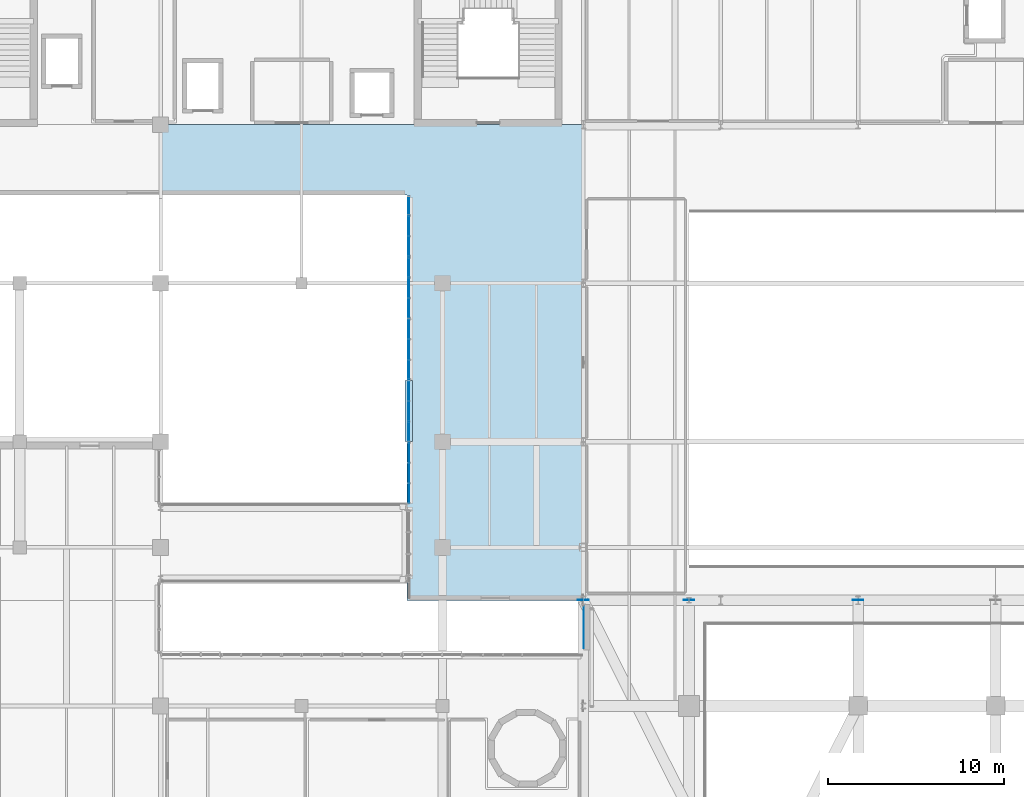
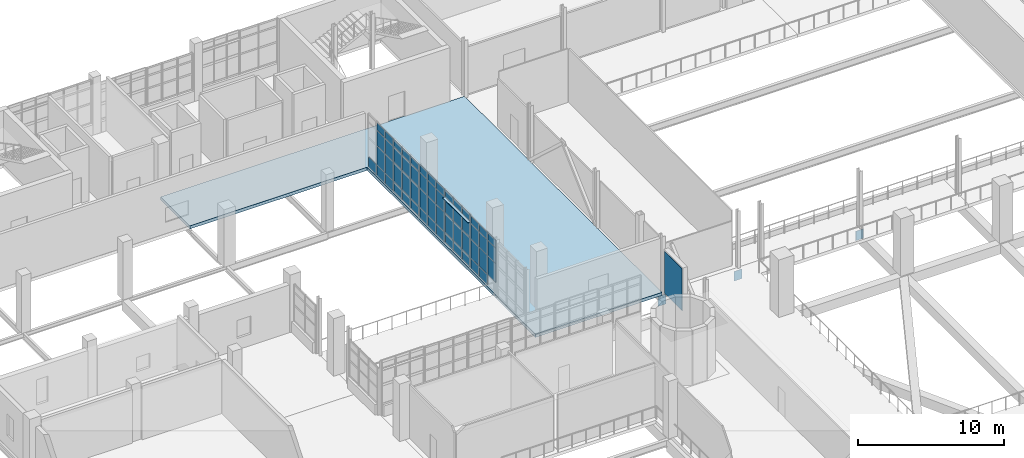
# One storey, part 64 of 100: 61 plates, 1 slab, 5 elements without a shape of their own.
"""IFC4 building model written with IfcOpenShell, lengths in metres."""

from ifc_helpers import new_model, si_unit, derived_unit, direction, frame, origin, origin_2d, place, context, subcontext, project, spatial, polyline, rectangle, outline, extrude, material, layer, layer_set, type_object, element, aggregate, save


model = new_model("IFC4")

# Units and contexts
model_context = context("Model", 3, precision=1e-05, world=origin(), true_north=direction((0.0, 1.0)))
body_context = subcontext(model_context, "Body", "Model", "MODEL_VIEW")
ifc_project = project(units=[si_unit("LENGTHUNIT", "METRE"), si_unit("AREAUNIT", "SQUARE_METRE"), si_unit("VOLUMEUNIT", "CUBIC_METRE"), si_unit("PLANEANGLEUNIT", "RADIAN"), si_unit("MASSUNIT", "GRAM", prefix="KILO"), derived_unit("THERMALTRANSMITTANCEUNIT", [(si_unit("POWERUNIT", "WATT"), 1), (si_unit("LENGTHUNIT", "METRE"), -2), (si_unit("THERMODYNAMICTEMPERATUREUNIT", "KELVIN"), -1)])], contexts=[model_context])

# Site, building, storey
site_placement = place(None, origin())
site = spatial("IfcSite", under=ifc_project, at=site_placement, CompositionType="ELEMENT")
building_placement = place(site_placement, origin())
building = spatial("IfcBuilding", under=site, at=building_placement, Name="Nallur Shell Playhouse", CompositionType="ELEMENT")
storey_placement = place(building_placement, frame((0.0, 0.0, 10.199951171875)))
storey = spatial("IfcBuildingStorey", under=building, at=storey_placement, Name="L03", CompositionType="ELEMENT", Elevation=10.199951171875)

# Plates
ifc_material_1 = material(Name="Steel E350", Category="steel")
ifc_layer_1 = layer(ifc_material_1, 0.02001953125)
ifc_layer_set_1 = layer_set([ifc_layer_1], Name="Steel E350")
plate_type_1 = type_object("IfcPlateType", Name="PT-ENDCAP-20", PredefinedType="SHEET", material=ifc_layer_set_1)
for number, where, z_axis, x_axis, name in (
    (1, (70.0, 47.010009765625, -1.06005859375), (0.0, 0.0, 1.0), (1.0, 0.0, 0.0), "Hollow end cap EC-TT-3-TC1"),
    (2, (79.60009765625, 47.010009765625, -1.06005859375), (0.0, 0.0, 1.0), (1.0, 0.0, 0.0), "Hollow end cap EC-TT-4-TC1"),
):
    element("IfcPlate", number, at=place(storey_placement, frame(where, z_axis=z_axis, x_axis=x_axis)), inside=storey, type_object=plate_type_1, Name=name, PredefinedType="SHEET", context=body_context, shape_type="SweptSolid", body=[
        extrude(rectangle(XDim=0.60009765625, YDim=0.02001953125, at=origin_2d()), origin(), (0.0, 0.0, 1.0), 0.800048828125),
    ])
plate_1_placement = place(storey_placement, frame((64.0, 47.010009765625, -1.06982421875), z_axis=(0.0, 0.0, 1.0), x_axis=(1.0, 0.0, 0.0)))
element("IfcPlate", 3, at=plate_1_placement, inside=storey, type_object=plate_type_1, Name="Hollow end cap EC-GB-L03-WB", PredefinedType="SHEET", context=body_context, shape_type="SweptSolid", body=[
    extrude(rectangle(XDim=0.6201171875, YDim=0.02001953125, at=origin_2d()), origin(), (0.0, 0.0, 1.0), 0.820068359375),
])

# Curtain wall, plates
ifc_material_2 = material(Name="Anodised Aluminium Double-Glazed Facade System", Category="aluminium")
ifc_layer_2 = layer(ifc_material_2, 0.172119140625)
ifc_layer_set_2 = layer_set([ifc_layer_2], Name="Anodised Aluminium Double-Glazed Facade System")
curtain_wall_type_1 = type_object("IfcCurtainWallType", Name="CW-UNIT-03", PredefinedType="NOTDEFINED", material=ifc_layer_set_2)
curtain_wall_1_placement = place(storey_placement, origin())
curtain_wall_1 = element("IfcCurtainWall", 4, at=curtain_wall_1_placement, inside=storey, type_object=curtain_wall_type_1, Name="Unitised curtain wall CW-067 (L03)", PredefinedType="NOTDEFINED")
ifc_material_3 = material(Name="Solar-Control Low-E Laminated Insulating Glass", Category="glass")
ifc_layer_3 = layer(ifc_material_3, 0.030029296875)
ifc_layer_set_3 = layer_set([ifc_layer_3], Name="Solar-Control Low-E Laminated Insulating Glass")
plate_type_2 = type_object("IfcPlateType", Name="PT-GLZ-03", PredefinedType="CURTAIN_PANEL", material=ifc_layer_set_3)
plate_2_placement = place(storey_placement, frame((54.090087890625, 53.082275390625, 0.924560546875), z_axis=(0.0, 0.0, 1.0), x_axis=(0.0, 1.0, 0.0)))
plate_2 = element("IfcPlate", 5, at=plate_2_placement, type_object=plate_type_2, Name="CW-03 panel 1.2", PredefinedType="CURTAIN_PANEL", context=body_context, shape_type="SweptSolid", body=[
    extrude(rectangle(XDim=1.084716796875, YDim=0.030029296875, at=origin_2d()), origin(), (0.0, 0.0, 1.0), 1.56005859375),
])
plate_3_placement = place(storey_placement, frame((54.090087890625, 53.082275390625, 2.53369140625), z_axis=(0.0, 0.0, 1.0), x_axis=(0.0, 1.0, 0.0)))
plate_3 = element("IfcPlate", 6, at=plate_3_placement, type_object=plate_type_2, Name="CW-03 panel 1.3", PredefinedType="CURTAIN_PANEL", context=body_context, shape_type="SweptSolid", body=[
    extrude(rectangle(XDim=1.084716796875, YDim=0.030029296875, at=origin_2d()), origin(), (0.0, 0.0, 1.0), 1.241943359375),
])
plate_4_placement = place(storey_placement, frame((54.090087890625, 53.082275390625, 3.82470703125), z_axis=(0.0, 0.0, 1.0), x_axis=(0.0, 1.0, 0.0)))
plate_4 = element("IfcPlate", 7, at=plate_4_placement, type_object=plate_type_2, Name="CW-03 panel 1.4", PredefinedType="CURTAIN_PANEL", context=body_context, shape_type="SweptSolid", body=[
    extrude(rectangle(XDim=1.084716796875, YDim=0.030029296875, at=origin_2d()), origin(), (0.0, 0.0, 1.0), 0.598388671875),
])
plate_5_placement = place(storey_placement, frame((54.090087890625, 54.232177734375, 0.05712890625), z_axis=(0.0, 0.0, 1.0), x_axis=(0.0, 1.0, 0.0)))
plate_5 = element("IfcPlate", 8, at=plate_5_placement, type_object=plate_type_2, Name="CW-03 panel 2.1", PredefinedType="CURTAIN_PANEL", context=body_context, shape_type="SweptSolid", body=[
    extrude(rectangle(XDim=1.1171875, YDim=0.030029296875, at=origin_2d()), origin(), (0.0, 0.0, 1.0), 0.818603515625),
])
plate_6_placement = place(storey_placement, frame((54.090087890625, 54.232177734375, 0.924560546875), z_axis=(0.0, 0.0, 1.0), x_axis=(0.0, 1.0, 0.0)))
plate_6 = element("IfcPlate", 9, at=plate_6_placement, type_object=plate_type_2, Name="CW-03 panel 2.2", PredefinedType="CURTAIN_PANEL", context=body_context, shape_type="SweptSolid", body=[
    extrude(rectangle(XDim=1.1171875, YDim=0.030029296875, at=origin_2d()), origin(), (0.0, 0.0, 1.0), 1.56005859375),
])
plate_7_placement = place(storey_placement, frame((54.090087890625, 54.232177734375, 2.53369140625), z_axis=(0.0, 0.0, 1.0), x_axis=(0.0, 1.0, 0.0)))
plate_7 = element("IfcPlate", 10, at=plate_7_placement, type_object=plate_type_2, Name="CW-03 panel 2.3", PredefinedType="CURTAIN_PANEL", context=body_context, shape_type="SweptSolid", body=[
    extrude(rectangle(XDim=1.1171875, YDim=0.030029296875, at=origin_2d()), origin(), (0.0, 0.0, 1.0), 1.241943359375),
])
plate_8_placement = place(storey_placement, frame((54.090087890625, 54.232177734375, 3.82470703125), z_axis=(0.0, 0.0, 1.0), x_axis=(0.0, 1.0, 0.0)))
plate_8 = element("IfcPlate", 11, at=plate_8_placement, type_object=plate_type_2, Name="CW-03 panel 2.4", PredefinedType="CURTAIN_PANEL", context=body_context, shape_type="SweptSolid", body=[
    extrude(rectangle(XDim=1.1171875, YDim=0.030029296875, at=origin_2d()), origin(), (0.0, 0.0, 1.0), 0.598388671875),
])
plate_9_placement = place(storey_placement, frame((54.090087890625, 55.382080078125, 0.05712890625), z_axis=(0.0, 0.0, 1.0), x_axis=(0.0, 1.0, 0.0)))
plate_9 = element("IfcPlate", 12, at=plate_9_placement, type_object=plate_type_2, Name="CW-03 panel 3.1", PredefinedType="CURTAIN_PANEL", context=body_context, shape_type="SweptSolid", body=[
    extrude(rectangle(XDim=1.084716796875, YDim=0.030029296875, at=origin_2d()), origin(), (0.0, 0.0, 1.0), 0.818603515625),
])
plate_10_placement = place(storey_placement, frame((54.090087890625, 55.382080078125, 0.924560546875), z_axis=(0.0, 0.0, 1.0), x_axis=(0.0, 1.0, 0.0)))
plate_10 = element("IfcPlate", 13, at=plate_10_placement, type_object=plate_type_2, Name="CW-03 panel 3.2", PredefinedType="CURTAIN_PANEL", context=body_context, shape_type="SweptSolid", body=[
    extrude(rectangle(XDim=1.084716796875, YDim=0.030029296875, at=origin_2d()), origin(), (0.0, 0.0, 1.0), 1.56005859375),
])
plate_11_placement = place(storey_placement, frame((54.090087890625, 55.382080078125, 2.53369140625), z_axis=(0.0, 0.0, 1.0), x_axis=(0.0, 1.0, 0.0)))
plate_11 = element("IfcPlate", 14, at=plate_11_placement, type_object=plate_type_2, Name="CW-03 panel 3.3", PredefinedType="CURTAIN_PANEL", context=body_context, shape_type="SweptSolid", body=[
    extrude(rectangle(XDim=1.084716796875, YDim=0.030029296875, at=origin_2d()), origin(), (0.0, 0.0, 1.0), 1.241943359375),
])
plate_12_placement = place(storey_placement, frame((54.090087890625, 55.382080078125, 3.82470703125), z_axis=(0.0, 0.0, 1.0), x_axis=(0.0, 1.0, 0.0)))
plate_12 = element("IfcPlate", 15, at=plate_12_placement, type_object=plate_type_2, Name="CW-03 panel 3.4", PredefinedType="CURTAIN_PANEL", context=body_context, shape_type="SweptSolid", body=[
    extrude(rectangle(XDim=1.084716796875, YDim=0.030029296875, at=origin_2d()), origin(), (0.0, 0.0, 1.0), 0.598388671875),
])
aggregate(curtain_wall_1, [plate_2, plate_3, plate_4, plate_5, plate_6, plate_7, plate_8, plate_9, plate_10, plate_11, plate_12])

ifc_layer_4 = layer(ifc_material_2, 0.176025390625)
ifc_layer_set_4 = layer_set([ifc_layer_4], Name="Anodised Aluminium Double-Glazed Facade System")
curtain_wall_type_2 = type_object("IfcCurtainWallType", Name="CW-UNIT-04", PredefinedType="NOTDEFINED", material=ifc_layer_set_4)
curtain_wall_2_placement = place(storey_placement, origin())
curtain_wall_2 = element("IfcCurtainWall", 16, at=curtain_wall_2_placement, inside=storey, type_object=curtain_wall_type_2, Name="Unitised curtain wall CW-068 (L03)", PredefinedType="NOTDEFINED")
ifc_layer_5 = layer(ifc_material_3, 0.031982421875)
ifc_layer_set_5 = layer_set([ifc_layer_5], Name="Solar-Control Low-E Laminated Insulating Glass")
plate_type_3 = type_object("IfcPlateType", Name="PT-GLZ-04", PredefinedType="CURTAIN_PANEL", material=ifc_layer_set_5)
plate_13_placement = place(storey_placement, frame((54.090087890625, 56.59375, 0.092041015625), z_axis=(0.0, 0.0, 1.0), x_axis=(0.0, 1.0, 0.0)))
plate_13 = element("IfcPlate", 17, at=plate_13_placement, type_object=plate_type_3, Name="CW-04 panel 1.1", PredefinedType="CURTAIN_PANEL", context=body_context, shape_type="SweptSolid", body=[
    extrude(rectangle(XDim=1.060546875, YDim=0.031982421875, at=origin_2d()), origin(), (0.0, 0.0, 1.0), 0.76611328125),
])
plate_14_placement = place(storey_placement, frame((54.090087890625, 56.59375, 0.94189453125), z_axis=(0.0, 0.0, 1.0), x_axis=(0.0, 1.0, 0.0)))
plate_14 = element("IfcPlate", 18, at=plate_14_placement, type_object=plate_type_3, Name="CW-04 panel 1.2", PredefinedType="CURTAIN_PANEL", context=body_context, shape_type="SweptSolid", body=[
    extrude(rectangle(XDim=1.060546875, YDim=0.031982421875, at=origin_2d()), origin(), (0.0, 0.0, 1.0), 1.55810546875),
])
plate_15_placement = place(storey_placement, frame((54.090087890625, 56.59375, 2.583984375), z_axis=(0.0, 0.0, 1.0), x_axis=(0.0, 1.0, 0.0)))
plate_15 = element("IfcPlate", 19, at=plate_15_placement, type_object=plate_type_3, Name="CW-04 panel 1.3", PredefinedType="CURTAIN_PANEL", context=body_context, shape_type="SweptSolid", body=[
    extrude(rectangle(XDim=1.060546875, YDim=0.031982421875, at=origin_2d()), origin(), (0.0, 0.0, 1.0), 1.23388671875),
])
plate_16_placement = place(storey_placement, frame((54.090087890625, 56.59375, 3.902099609375), z_axis=(0.0, 0.0, 1.0), x_axis=(0.0, 1.0, 0.0)))
plate_16 = element("IfcPlate", 20, at=plate_16_placement, type_object=plate_type_3, Name="CW-04 panel 1.4", PredefinedType="CURTAIN_PANEL", context=body_context, shape_type="SweptSolid", body=[
    extrude(rectangle(XDim=1.060546875, YDim=0.031982421875, at=origin_2d()), origin(), (0.0, 0.0, 1.0), 0.5458984375),
])
plate_17_placement = place(storey_placement, frame((54.090087890625, 57.738037109375, 0.092041015625), z_axis=(0.0, 0.0, 1.0), x_axis=(0.0, 1.0, 0.0)))
plate_17 = element("IfcPlate", 21, at=plate_17_placement, type_object=plate_type_3, Name="CW-04 panel 2.1", PredefinedType="CURTAIN_PANEL", context=body_context, shape_type="SweptSolid", body=[
    extrude(rectangle(XDim=1.1005859375, YDim=0.031982421875, at=origin_2d()), origin(), (0.0, 0.0, 1.0), 0.76611328125),
])
plate_18_placement = place(storey_placement, frame((54.090087890625, 57.738037109375, 0.94189453125), z_axis=(0.0, 0.0, 1.0), x_axis=(0.0, 1.0, 0.0)))
plate_18 = element("IfcPlate", 22, at=plate_18_placement, type_object=plate_type_3, Name="CW-04 panel 2.2", PredefinedType="CURTAIN_PANEL", context=body_context, shape_type="SweptSolid", body=[
    extrude(rectangle(XDim=1.1005859375, YDim=0.031982421875, at=origin_2d()), origin(), (0.0, 0.0, 1.0), 1.55810546875),
])
plate_19_placement = place(storey_placement, frame((54.090087890625, 57.738037109375, 2.583984375), z_axis=(0.0, 0.0, 1.0), x_axis=(0.0, 1.0, 0.0)))
plate_19 = element("IfcPlate", 23, at=plate_19_placement, type_object=plate_type_3, Name="CW-04 panel 2.3", PredefinedType="CURTAIN_PANEL", context=body_context, shape_type="SweptSolid", body=[
    extrude(rectangle(XDim=1.1005859375, YDim=0.031982421875, at=origin_2d()), origin(), (0.0, 0.0, 1.0), 1.23388671875),
])
plate_20_placement = place(storey_placement, frame((54.090087890625, 57.738037109375, 3.902099609375), z_axis=(0.0, 0.0, 1.0), x_axis=(0.0, 1.0, 0.0)))
plate_20 = element("IfcPlate", 24, at=plate_20_placement, type_object=plate_type_3, Name="CW-04 panel 2.4", PredefinedType="CURTAIN_PANEL", context=body_context, shape_type="SweptSolid", body=[
    extrude(rectangle(XDim=1.1005859375, YDim=0.031982421875, at=origin_2d()), origin(), (0.0, 0.0, 1.0), 0.5458984375),
])
plate_21_placement = place(storey_placement, frame((54.090087890625, 58.882568359375, 0.092041015625), z_axis=(0.0, 0.0, 1.0), x_axis=(0.0, 1.0, 0.0)))
plate_21 = element("IfcPlate", 25, at=plate_21_placement, type_object=plate_type_3, Name="CW-04 panel 3.1", PredefinedType="CURTAIN_PANEL", context=body_context, shape_type="SweptSolid", body=[
    extrude(rectangle(XDim=1.060546875, YDim=0.031982421875, at=origin_2d()), origin(), (0.0, 0.0, 1.0), 0.76611328125),
])
plate_22_placement = place(storey_placement, frame((54.090087890625, 58.882568359375, 0.94189453125), z_axis=(0.0, 0.0, 1.0), x_axis=(0.0, 1.0, 0.0)))
plate_22 = element("IfcPlate", 26, at=plate_22_placement, type_object=plate_type_3, Name="CW-04 panel 3.2", PredefinedType="CURTAIN_PANEL", context=body_context, shape_type="SweptSolid", body=[
    extrude(rectangle(XDim=1.060546875, YDim=0.031982421875, at=origin_2d()), origin(), (0.0, 0.0, 1.0), 1.55810546875),
])
plate_23_placement = place(storey_placement, frame((54.090087890625, 58.882568359375, 2.583984375), z_axis=(0.0, 0.0, 1.0), x_axis=(0.0, 1.0, 0.0)))
plate_23 = element("IfcPlate", 27, at=plate_23_placement, type_object=plate_type_3, Name="CW-04 panel 3.3", PredefinedType="CURTAIN_PANEL", context=body_context, shape_type="SweptSolid", body=[
    extrude(rectangle(XDim=1.060546875, YDim=0.031982421875, at=origin_2d()), origin(), (0.0, 0.0, 1.0), 1.23388671875),
])
plate_24_placement = place(storey_placement, frame((54.090087890625, 58.882568359375, 3.902099609375), z_axis=(0.0, 0.0, 1.0), x_axis=(0.0, 1.0, 0.0)))
plate_24 = element("IfcPlate", 28, at=plate_24_placement, type_object=plate_type_3, Name="CW-04 panel 3.4", PredefinedType="CURTAIN_PANEL", context=body_context, shape_type="SweptSolid", body=[
    extrude(rectangle(XDim=1.060546875, YDim=0.031982421875, at=origin_2d()), origin(), (0.0, 0.0, 1.0), 0.5458984375),
])
aggregate(curtain_wall_2, [plate_13, plate_14, plate_15, plate_16, plate_17, plate_18, plate_19, plate_20, plate_21, plate_22, plate_23, plate_24])

ifc_layer_6 = layer(ifc_material_2, 0.179931640625)
ifc_layer_set_6 = layer_set([ifc_layer_6], Name="Anodised Aluminium Double-Glazed Facade System")
curtain_wall_type_3 = type_object("IfcCurtainWallType", Name="CW-UNIT-05", PredefinedType="NOTDEFINED", material=ifc_layer_set_6)
curtain_wall_3_placement = place(storey_placement, origin())
curtain_wall_3 = element("IfcCurtainWall", 29, at=curtain_wall_3_placement, inside=storey, type_object=curtain_wall_type_3, Name="Unitised curtain wall CW-069 (L03)", PredefinedType="NOTDEFINED")
ifc_layer_7 = layer(ifc_material_3, 0.033935546875)
ifc_layer_set_7 = layer_set([ifc_layer_7], Name="Solar-Control Low-E Laminated Insulating Glass")
plate_type_4 = type_object("IfcPlateType", Name="PT-GLZ-05", PredefinedType="CURTAIN_PANEL", material=ifc_layer_set_7)
plate_25_placement = place(storey_placement, frame((54.090087890625, 60.095703125, 0.05712890625), z_axis=(0.0, 0.0, 1.0), x_axis=(0.0, 1.0, 0.0)))
plate_25 = element("IfcPlate", 30, at=plate_25_placement, type_object=plate_type_4, Name="CW-05 panel 1.1", PredefinedType="CURTAIN_PANEL", context=body_context, shape_type="SweptSolid", body=[
    extrude(rectangle(XDim=1.06787109375, YDim=0.033935546875, at=origin_2d()), origin(), (0.0, 0.0, 1.0), 0.818603515625),
])
plate_26_placement = place(storey_placement, frame((54.090087890625, 60.095703125, 0.924560546875), z_axis=(0.0, 0.0, 1.0), x_axis=(0.0, 1.0, 0.0)))
plate_26 = element("IfcPlate", 31, at=plate_26_placement, type_object=plate_type_4, Name="CW-05 panel 1.2", PredefinedType="CURTAIN_PANEL", context=body_context, shape_type="SweptSolid", body=[
    extrude(rectangle(XDim=1.06787109375, YDim=0.033935546875, at=origin_2d()), origin(), (0.0, 0.0, 1.0), 1.58203125),
])
plate_27_placement = place(storey_placement, frame((54.090087890625, 60.095703125, 2.5556640625), z_axis=(0.0, 0.0, 1.0), x_axis=(0.0, 1.0, 0.0)))
plate_27 = element("IfcPlate", 32, at=plate_27_placement, type_object=plate_type_4, Name="CW-05 panel 1.3", PredefinedType="CURTAIN_PANEL", context=body_context, shape_type="SweptSolid", body=[
    extrude(rectangle(XDim=1.06787109375, YDim=0.033935546875, at=origin_2d()), origin(), (0.0, 0.0, 1.0), 1.260009765625),
])
plate_28_placement = place(storey_placement, frame((54.090087890625, 60.095703125, 3.86474609375), z_axis=(0.0, 0.0, 1.0), x_axis=(0.0, 1.0, 0.0)))
plate_28 = element("IfcPlate", 33, at=plate_28_placement, type_object=plate_type_4, Name="CW-05 panel 1.4", PredefinedType="CURTAIN_PANEL", context=body_context, shape_type="SweptSolid", body=[
    extrude(rectangle(XDim=1.06787109375, YDim=0.033935546875, at=origin_2d()), origin(), (0.0, 0.0, 1.0), 0.598388671875),
])
plate_29_placement = place(storey_placement, frame((54.090087890625, 61.241455078125, 0.05712890625), z_axis=(0.0, 0.0, 1.0), x_axis=(0.0, 1.0, 0.0)))
plate_29 = element("IfcPlate", 34, at=plate_29_placement, type_object=plate_type_4, Name="CW-05 panel 2.1", PredefinedType="CURTAIN_PANEL", context=body_context, shape_type="SweptSolid", body=[
    extrude(rectangle(XDim=1.10546875, YDim=0.033935546875, at=origin_2d()), origin(), (0.0, 0.0, 1.0), 0.818603515625),
])
plate_30_placement = place(storey_placement, frame((54.090087890625, 61.241455078125, 0.924560546875), z_axis=(0.0, 0.0, 1.0), x_axis=(0.0, 1.0, 0.0)))
plate_30 = element("IfcPlate", 35, at=plate_30_placement, type_object=plate_type_4, Name="CW-05 panel 2.2", PredefinedType="CURTAIN_PANEL", context=body_context, shape_type="SweptSolid", body=[
    extrude(rectangle(XDim=1.10546875, YDim=0.033935546875, at=origin_2d()), origin(), (0.0, 0.0, 1.0), 1.58203125),
])
plate_31_placement = place(storey_placement, frame((54.090087890625, 61.241455078125, 2.5556640625), z_axis=(0.0, 0.0, 1.0), x_axis=(0.0, 1.0, 0.0)))
plate_31 = element("IfcPlate", 36, at=plate_31_placement, type_object=plate_type_4, Name="CW-05 panel 2.3", PredefinedType="CURTAIN_PANEL", context=body_context, shape_type="SweptSolid", body=[
    extrude(rectangle(XDim=1.10546875, YDim=0.033935546875, at=origin_2d()), origin(), (0.0, 0.0, 1.0), 1.260009765625),
])
plate_32_placement = place(storey_placement, frame((54.090087890625, 61.241455078125, 3.86474609375), z_axis=(0.0, 0.0, 1.0), x_axis=(0.0, 1.0, 0.0)))
plate_32 = element("IfcPlate", 37, at=plate_32_placement, type_object=plate_type_4, Name="CW-05 panel 2.4", PredefinedType="CURTAIN_PANEL", context=body_context, shape_type="SweptSolid", body=[
    extrude(rectangle(XDim=1.10546875, YDim=0.033935546875, at=origin_2d()), origin(), (0.0, 0.0, 1.0), 0.598388671875),
])
plate_33_placement = place(storey_placement, frame((54.090087890625, 62.38720703125, 0.05712890625), z_axis=(0.0, 0.0, 1.0), x_axis=(0.0, 1.0, 0.0)))
plate_33 = element("IfcPlate", 38, at=plate_33_placement, type_object=plate_type_4, Name="CW-05 panel 3.1", PredefinedType="CURTAIN_PANEL", context=body_context, shape_type="SweptSolid", body=[
    extrude(rectangle(XDim=1.06787109375, YDim=0.033935546875, at=origin_2d()), origin(), (0.0, 0.0, 1.0), 0.818603515625),
])
plate_34_placement = place(storey_placement, frame((54.090087890625, 62.38720703125, 0.924560546875), z_axis=(0.0, 0.0, 1.0), x_axis=(0.0, 1.0, 0.0)))
plate_34 = element("IfcPlate", 39, at=plate_34_placement, type_object=plate_type_4, Name="CW-05 panel 3.2", PredefinedType="CURTAIN_PANEL", context=body_context, shape_type="SweptSolid", body=[
    extrude(rectangle(XDim=1.06787109375, YDim=0.033935546875, at=origin_2d()), origin(), (0.0, 0.0, 1.0), 1.58203125),
])
plate_35_placement = place(storey_placement, frame((54.090087890625, 62.38720703125, 2.5556640625), z_axis=(0.0, 0.0, 1.0), x_axis=(0.0, 1.0, 0.0)))
plate_35 = element("IfcPlate", 40, at=plate_35_placement, type_object=plate_type_4, Name="CW-05 panel 3.3", PredefinedType="CURTAIN_PANEL", context=body_context, shape_type="SweptSolid", body=[
    extrude(rectangle(XDim=1.06787109375, YDim=0.033935546875, at=origin_2d()), origin(), (0.0, 0.0, 1.0), 1.260009765625),
])
plate_36_placement = place(storey_placement, frame((54.090087890625, 62.38720703125, 3.86474609375), z_axis=(0.0, 0.0, 1.0), x_axis=(0.0, 1.0, 0.0)))
plate_36 = element("IfcPlate", 41, at=plate_36_placement, type_object=plate_type_4, Name="CW-05 panel 3.4", PredefinedType="CURTAIN_PANEL", context=body_context, shape_type="SweptSolid", body=[
    extrude(rectangle(XDim=1.06787109375, YDim=0.033935546875, at=origin_2d()), origin(), (0.0, 0.0, 1.0), 0.598388671875),
])
aggregate(curtain_wall_3, [plate_25, plate_26, plate_27, plate_28, plate_29, plate_30, plate_31, plate_32, plate_33, plate_34, plate_35, plate_36])

ifc_layer_8 = layer(ifc_material_2, 0.159912109375)
ifc_layer_set_8 = layer_set([ifc_layer_8], Name="Anodised Aluminium Double-Glazed Facade System")
curtain_wall_type_4 = type_object("IfcCurtainWallType", Name="CW-UNIT-06", PredefinedType="NOTDEFINED", material=ifc_layer_set_8)
curtain_wall_4_placement = place(storey_placement, origin())
curtain_wall_4 = element("IfcCurtainWall", 42, at=curtain_wall_4_placement, inside=storey, type_object=curtain_wall_type_4, Name="Unitised curtain wall CW-070 (L03)", PredefinedType="NOTDEFINED")
ifc_layer_9 = layer(ifc_material_3, 0.035888671875)
ifc_layer_set_9 = layer_set([ifc_layer_9], Name="Solar-Control Low-E Laminated Insulating Glass")
plate_type_5 = type_object("IfcPlateType", Name="PT-GLZ-06", PredefinedType="CURTAIN_PANEL", material=ifc_layer_set_9)
plate_37_placement = place(storey_placement, frame((54.090087890625, 63.5966796875, 0.092041015625), z_axis=(0.0, 0.0, 1.0), x_axis=(0.0, 1.0, 0.0)))
plate_37 = element("IfcPlate", 43, at=plate_37_placement, type_object=plate_type_5, Name="CW-06 panel 1.1", PredefinedType="CURTAIN_PANEL", context=body_context, shape_type="SweptSolid", body=[
    extrude(rectangle(XDim=1.0830078125, YDim=0.035888671875, at=origin_2d()), origin(), (0.0, 0.0, 1.0), 0.76611328125),
])
plate_38_placement = place(storey_placement, frame((54.090087890625, 63.5966796875, 0.94189453125), z_axis=(0.0, 0.0, 1.0), x_axis=(0.0, 1.0, 0.0)))
plate_38 = element("IfcPlate", 44, at=plate_38_placement, type_object=plate_type_5, Name="CW-06 panel 1.2", PredefinedType="CURTAIN_PANEL", context=body_context, shape_type="SweptSolid", body=[
    extrude(rectangle(XDim=1.0830078125, YDim=0.035888671875, at=origin_2d()), origin(), (0.0, 0.0, 1.0), 1.535888671875),
])
plate_39_placement = place(storey_placement, frame((54.090087890625, 63.5966796875, 2.56201171875), z_axis=(0.0, 0.0, 1.0), x_axis=(0.0, 1.0, 0.0)))
plate_39 = element("IfcPlate", 45, at=plate_39_placement, type_object=plate_type_5, Name="CW-06 panel 1.3", PredefinedType="CURTAIN_PANEL", context=body_context, shape_type="SweptSolid", body=[
    extrude(rectangle(XDim=1.0830078125, YDim=0.035888671875, at=origin_2d()), origin(), (0.0, 0.0, 1.0), 1.216064453125),
])
plate_40_placement = place(storey_placement, frame((54.090087890625, 63.5966796875, 3.862060546875), z_axis=(0.0, 0.0, 1.0), x_axis=(0.0, 1.0, 0.0)))
plate_40 = element("IfcPlate", 46, at=plate_40_placement, type_object=plate_type_5, Name="CW-06 panel 1.4", PredefinedType="CURTAIN_PANEL", context=body_context, shape_type="SweptSolid", body=[
    extrude(rectangle(XDim=1.0830078125, YDim=0.035888671875, at=origin_2d()), origin(), (0.0, 0.0, 1.0), 0.5458984375),
])
plate_41_placement = place(storey_placement, frame((54.090087890625, 64.744873046875, 0.092041015625), z_axis=(0.0, 0.0, 1.0), x_axis=(0.0, 1.0, 0.0)))
plate_41 = element("IfcPlate", 47, at=plate_41_placement, type_object=plate_type_5, Name="CW-06 panel 2.1", PredefinedType="CURTAIN_PANEL", context=body_context, shape_type="SweptSolid", body=[
    extrude(rectangle(XDim=1.115478515625, YDim=0.035888671875, at=origin_2d()), origin(), (0.0, 0.0, 1.0), 0.76611328125),
])
plate_42_placement = place(storey_placement, frame((54.090087890625, 64.744873046875, 0.94189453125), z_axis=(0.0, 0.0, 1.0), x_axis=(0.0, 1.0, 0.0)))
plate_42 = element("IfcPlate", 48, at=plate_42_placement, type_object=plate_type_5, Name="CW-06 panel 2.2", PredefinedType="CURTAIN_PANEL", context=body_context, shape_type="SweptSolid", body=[
    extrude(rectangle(XDim=1.115478515625, YDim=0.035888671875, at=origin_2d()), origin(), (0.0, 0.0, 1.0), 1.535888671875),
])
plate_43_placement = place(storey_placement, frame((54.090087890625, 64.744873046875, 2.56201171875), z_axis=(0.0, 0.0, 1.0), x_axis=(0.0, 1.0, 0.0)))
plate_43 = element("IfcPlate", 49, at=plate_43_placement, type_object=plate_type_5, Name="CW-06 panel 2.3", PredefinedType="CURTAIN_PANEL", context=body_context, shape_type="SweptSolid", body=[
    extrude(rectangle(XDim=1.115478515625, YDim=0.035888671875, at=origin_2d()), origin(), (0.0, 0.0, 1.0), 1.216064453125),
])
plate_44_placement = place(storey_placement, frame((54.090087890625, 64.744873046875, 3.862060546875), z_axis=(0.0, 0.0, 1.0), x_axis=(0.0, 1.0, 0.0)))
plate_44 = element("IfcPlate", 50, at=plate_44_placement, type_object=plate_type_5, Name="CW-06 panel 2.4", PredefinedType="CURTAIN_PANEL", context=body_context, shape_type="SweptSolid", body=[
    extrude(rectangle(XDim=1.115478515625, YDim=0.035888671875, at=origin_2d()), origin(), (0.0, 0.0, 1.0), 0.5458984375),
])
plate_45_placement = place(storey_placement, frame((54.090087890625, 65.89306640625, 0.092041015625), z_axis=(0.0, 0.0, 1.0), x_axis=(0.0, 1.0, 0.0)))
plate_45 = element("IfcPlate", 51, at=plate_45_placement, type_object=plate_type_5, Name="CW-06 panel 3.1", PredefinedType="CURTAIN_PANEL", context=body_context, shape_type="SweptSolid", body=[
    extrude(rectangle(XDim=1.0830078125, YDim=0.035888671875, at=origin_2d()), origin(), (0.0, 0.0, 1.0), 0.76611328125),
])
plate_46_placement = place(storey_placement, frame((54.090087890625, 65.89306640625, 0.94189453125), z_axis=(0.0, 0.0, 1.0), x_axis=(0.0, 1.0, 0.0)))
plate_46 = element("IfcPlate", 52, at=plate_46_placement, type_object=plate_type_5, Name="CW-06 panel 3.2", PredefinedType="CURTAIN_PANEL", context=body_context, shape_type="SweptSolid", body=[
    extrude(rectangle(XDim=1.0830078125, YDim=0.035888671875, at=origin_2d()), origin(), (0.0, 0.0, 1.0), 1.535888671875),
])
plate_47_placement = place(storey_placement, frame((54.090087890625, 65.89306640625, 2.56201171875), z_axis=(0.0, 0.0, 1.0), x_axis=(0.0, 1.0, 0.0)))
plate_47 = element("IfcPlate", 53, at=plate_47_placement, type_object=plate_type_5, Name="CW-06 panel 3.3", PredefinedType="CURTAIN_PANEL", context=body_context, shape_type="SweptSolid", body=[
    extrude(rectangle(XDim=1.0830078125, YDim=0.035888671875, at=origin_2d()), origin(), (0.0, 0.0, 1.0), 1.216064453125),
])
plate_48_placement = place(storey_placement, frame((54.090087890625, 65.89306640625, 3.862060546875), z_axis=(0.0, 0.0, 1.0), x_axis=(0.0, 1.0, 0.0)))
plate_48 = element("IfcPlate", 54, at=plate_48_placement, type_object=plate_type_5, Name="CW-06 panel 3.4", PredefinedType="CURTAIN_PANEL", context=body_context, shape_type="SweptSolid", body=[
    extrude(rectangle(XDim=1.0830078125, YDim=0.035888671875, at=origin_2d()), origin(), (0.0, 0.0, 1.0), 0.5458984375),
])
aggregate(curtain_wall_4, [plate_37, plate_38, plate_39, plate_40, plate_41, plate_42, plate_43, plate_44, plate_45, plate_46, plate_47, plate_48])

ifc_layer_10 = layer(ifc_material_2, 0.1640625)
ifc_layer_set_10 = layer_set([ifc_layer_10], Name="Anodised Aluminium Double-Glazed Facade System")
curtain_wall_type_5 = type_object("IfcCurtainWallType", Name="CW-UNIT-07", PredefinedType="NOTDEFINED", material=ifc_layer_set_10)
curtain_wall_5_placement = place(storey_placement, origin())
curtain_wall_5 = element("IfcCurtainWall", 55, at=curtain_wall_5_placement, inside=storey, type_object=curtain_wall_type_5, Name="Unitised curtain wall CW-071 (L03)", PredefinedType="NOTDEFINED")
ifc_layer_11 = layer(ifc_material_3, 0.0380859375)
ifc_layer_set_11 = layer_set([ifc_layer_11], Name="Solar-Control Low-E Laminated Insulating Glass")
plate_type_6 = type_object("IfcPlateType", Name="PT-GLZ-07", PredefinedType="CURTAIN_PANEL", material=ifc_layer_set_11)
plate_49_placement = place(storey_placement, frame((54.090087890625, 67.104736328125, 0.05712890625), z_axis=(0.0, 0.0, 1.0), x_axis=(0.0, 1.0, 0.0)))
plate_49 = element("IfcPlate", 56, at=plate_49_placement, type_object=plate_type_6, Name="CW-07 panel 1.1", PredefinedType="CURTAIN_PANEL", context=body_context, shape_type="SweptSolid", body=[
    extrude(rectangle(XDim=1.06201171875, YDim=0.0380859375, at=origin_2d()), origin(), (0.0, 0.0, 1.0), 0.818603515625),
])
plate_50_placement = place(storey_placement, frame((54.090087890625, 67.104736328125, 0.924560546875), z_axis=(0.0, 0.0, 1.0), x_axis=(0.0, 1.0, 0.0)))
plate_50 = element("IfcPlate", 57, at=plate_50_placement, type_object=plate_type_6, Name="CW-07 panel 1.2", PredefinedType="CURTAIN_PANEL", context=body_context, shape_type="SweptSolid", body=[
    extrude(rectangle(XDim=1.06201171875, YDim=0.0380859375, at=origin_2d()), origin(), (0.0, 0.0, 1.0), 1.56005859375),
])
plate_51_placement = place(storey_placement, frame((54.090087890625, 67.104736328125, 2.53369140625), z_axis=(0.0, 0.0, 1.0), x_axis=(0.0, 1.0, 0.0)))
plate_51 = element("IfcPlate", 58, at=plate_51_placement, type_object=plate_type_6, Name="CW-07 panel 1.3", PredefinedType="CURTAIN_PANEL", context=body_context, shape_type="SweptSolid", body=[
    extrude(rectangle(XDim=1.06201171875, YDim=0.0380859375, at=origin_2d()), origin(), (0.0, 0.0, 1.0), 1.241943359375),
])
plate_52_placement = place(storey_placement, frame((54.090087890625, 67.104736328125, 3.82470703125), z_axis=(0.0, 0.0, 1.0), x_axis=(0.0, 1.0, 0.0)))
plate_52 = element("IfcPlate", 59, at=plate_52_placement, type_object=plate_type_6, Name="CW-07 panel 1.4", PredefinedType="CURTAIN_PANEL", context=body_context, shape_type="SweptSolid", body=[
    extrude(rectangle(XDim=1.06201171875, YDim=0.0380859375, at=origin_2d()), origin(), (0.0, 0.0, 1.0), 0.598388671875),
])
plate_53_placement = place(storey_placement, frame((54.090087890625, 68.250732421875, 0.05712890625), z_axis=(0.0, 0.0, 1.0), x_axis=(0.0, 1.0, 0.0)))
plate_53 = element("IfcPlate", 60, at=plate_53_placement, type_object=plate_type_6, Name="CW-07 panel 2.1", PredefinedType="CURTAIN_PANEL", context=body_context, shape_type="SweptSolid", body=[
    extrude(rectangle(XDim=1.10205078125, YDim=0.0380859375, at=origin_2d()), origin(), (0.0, 0.0, 1.0), 0.818603515625),
])
plate_54_placement = place(storey_placement, frame((54.090087890625, 68.250732421875, 0.924560546875), z_axis=(0.0, 0.0, 1.0), x_axis=(0.0, 1.0, 0.0)))
plate_54 = element("IfcPlate", 61, at=plate_54_placement, type_object=plate_type_6, Name="CW-07 panel 2.2", PredefinedType="CURTAIN_PANEL", context=body_context, shape_type="SweptSolid", body=[
    extrude(rectangle(XDim=1.10205078125, YDim=0.0380859375, at=origin_2d()), origin(), (0.0, 0.0, 1.0), 1.56005859375),
])
plate_55_placement = place(storey_placement, frame((54.090087890625, 68.250732421875, 2.53369140625), z_axis=(0.0, 0.0, 1.0), x_axis=(0.0, 1.0, 0.0)))
plate_55 = element("IfcPlate", 62, at=plate_55_placement, type_object=plate_type_6, Name="CW-07 panel 2.3", PredefinedType="CURTAIN_PANEL", context=body_context, shape_type="SweptSolid", body=[
    extrude(rectangle(XDim=1.10205078125, YDim=0.0380859375, at=origin_2d()), origin(), (0.0, 0.0, 1.0), 1.241943359375),
])
plate_56_placement = place(storey_placement, frame((54.090087890625, 68.250732421875, 3.82470703125), z_axis=(0.0, 0.0, 1.0), x_axis=(0.0, 1.0, 0.0)))
plate_56 = element("IfcPlate", 63, at=plate_56_placement, type_object=plate_type_6, Name="CW-07 panel 2.4", PredefinedType="CURTAIN_PANEL", context=body_context, shape_type="SweptSolid", body=[
    extrude(rectangle(XDim=1.10205078125, YDim=0.0380859375, at=origin_2d()), origin(), (0.0, 0.0, 1.0), 0.598388671875),
])
plate_57_placement = place(storey_placement, frame((54.090087890625, 69.39697265625, 0.05712890625), z_axis=(0.0, 0.0, 1.0), x_axis=(0.0, 1.0, 0.0)))
plate_57 = element("IfcPlate", 64, at=plate_57_placement, type_object=plate_type_6, Name="CW-07 panel 3.1", PredefinedType="CURTAIN_PANEL", context=body_context, shape_type="SweptSolid", body=[
    extrude(rectangle(XDim=1.06201171875, YDim=0.0380859375, at=origin_2d()), origin(), (0.0, 0.0, 1.0), 0.818603515625),
])
aggregate(curtain_wall_5, [plate_49, plate_50, plate_51, plate_52, plate_53, plate_54, plate_55, plate_56, plate_57])

# Plates
ifc_material_4 = material(Name="Gold-Anodised Perforated Aluminium Acoustic Cladding", Category="aluminium")
ifc_layer_12 = layer(ifc_material_4, 0.013916015625)
ifc_layer_set_12 = layer_set([ifc_layer_12], Name="Gold-Anodised Perforated Aluminium Acoustic Cladding")
plate_type_7 = type_object("IfcPlateType", Name="PT-GOLD-05", PredefinedType="SHEET", material=ifc_layer_set_12)
plate_58_placement = place(storey_placement, frame((64.02197265625, 45.47607421875, 0.10009765625), z_axis=(0.0, 0.0, 1.0), x_axis=(0.0, 1.0, 0.0)))
element("IfcPlate", 65, at=plate_58_placement, inside=storey, type_object=plate_type_7, Name="Gold-anodised perforated aluminium cladding GC-005", PredefinedType="SHEET", context=body_context, shape_type="SweptSolid", body=[
    extrude(rectangle(XDim=2.382080078125, YDim=0.02197265625, at=origin_2d()), origin(), (0.0, 0.0, 1.0), 3.52490234375),
])
ifc_material_5 = material(Name="Terracotta & Gold-Anodised Monsoon Sunshade Blade", Category="masonry")
ifc_layer_13 = layer(ifc_material_5, 0.044921875)
ifc_layer_set_13 = layer_set([ifc_layer_13], Name="Terracotta & Gold-Anodised Monsoon Sunshade Blade")
plate_type_8 = type_object("IfcPlateType", Name="PT-LOUVRE-01", PredefinedType="USERDEFINED", material=ifc_layer_set_13)
plate_59_placement = place(storey_placement, frame((54.090087890625, 57.738037109375, 3.837646484375), z_axis=(0.0, 0.0, 1.0), x_axis=(0.0, 1.0, 0.0)))
element("IfcPlate", 66, at=plate_59_placement, inside=storey, type_object=plate_type_8, Name="Monsoon sunshade louvre blade LV-017", ObjectType="SUNSHADE LOUVRE", PredefinedType="USERDEFINED", context=body_context, shape_type="SweptSolid", body=[
    extrude(rectangle(XDim=3.452880859375, YDim=0.419921875, at=origin_2d()), origin(), (0.0, 0.0, 1.0), 0.044921875),
])

# Slab
ifc_material_6 = material(Name="Concrete M30", Category="concrete")
ifc_layer_14 = layer(ifc_material_6, 0.260009765625)
ifc_layer_set_14 = layer_set([ifc_layer_14], Name="Concrete M30")
slab_type = type_object("IfcSlabType", Name="SL-FLOOR-260", PredefinedType="FLOOR", material=ifc_layer_set_14)
slab_placement = place(storey_placement, frame((0.0, 0.0, -0.260009765625)))
element("IfcSlab", 67, at=slab_placement, inside=storey, type_object=slab_type, Name="L03 structural floor slab panel 09", PredefinedType="FLOOR", context=body_context, shape_type="SweptSolid", body=[
    extrude(outline(polyline([(54.0, 47.0), (54.0, 70.0), (40.0, 70.0), (40.0, 74.0), (64.0, 74.0), (64.0, 47.0), (54.0, 47.0)])), origin(), (0.0, 0.0, 1.0), 0.260009765625),
])

save(model, "model.ifc")
